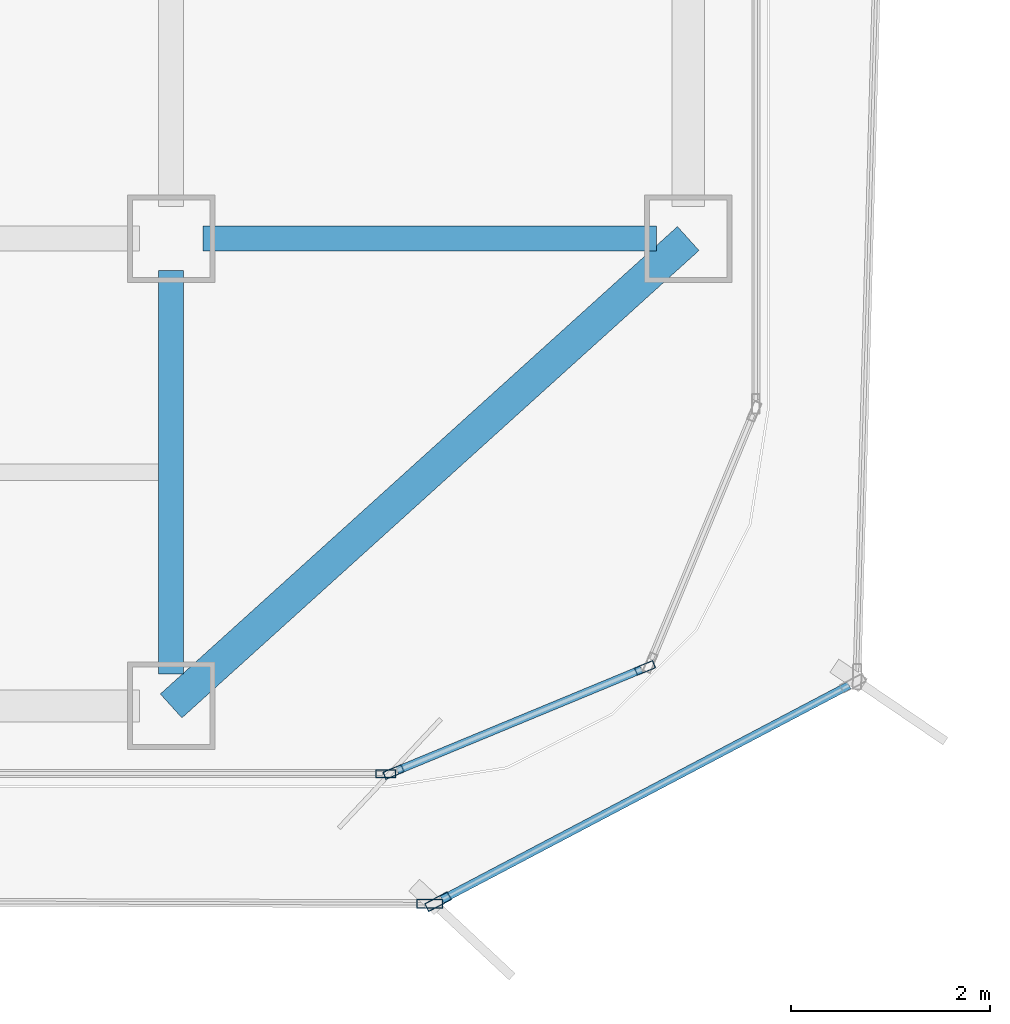
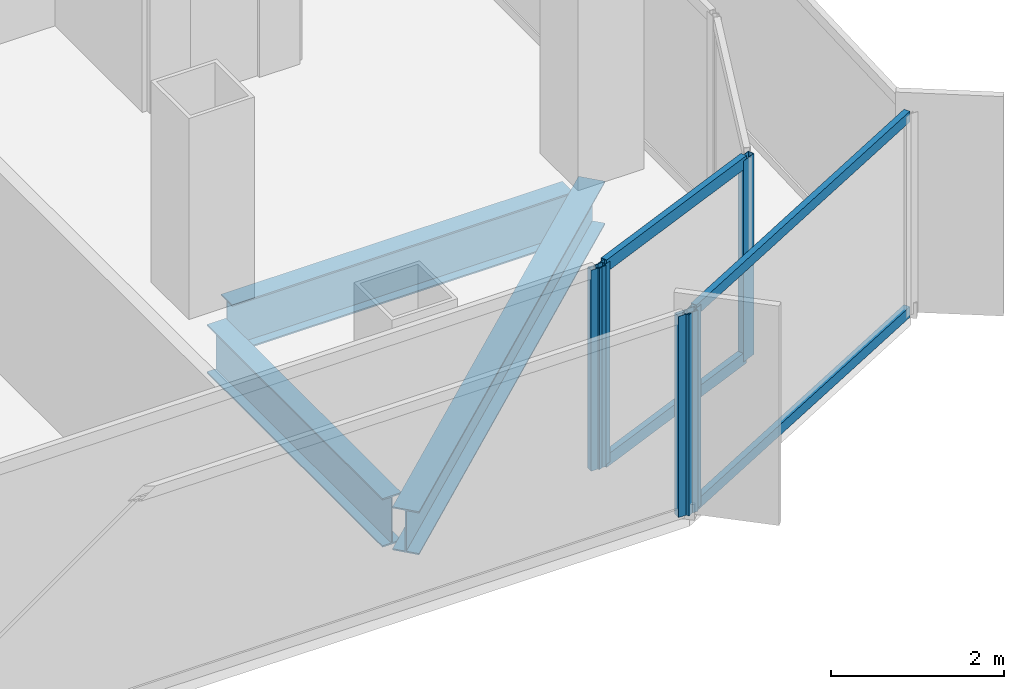
# One storey, part 6 of 21: 9 members, 3 beams, 4 elements without a shape of their own.
"""IFC4 building model written with IfcOpenShell, lengths in metres."""

from ifc_helpers import new_model, si_unit, direction, frame, origin, origin_2d, place, context, subcontext, project, spatial, hollow_rectangle, i_section, extrude, source, transform, mapped, material, layer, layer_set, material_profile, profile_set, type_object, element, aggregate, save


model = new_model("IFC4")

# Units and contexts
model_context = context("Model", 3, precision=1e-05, world=origin(), true_north=direction((0.0, 1.0)))
body_context = subcontext(model_context, "Body", "Model", "MODEL_VIEW")
ifc_project = project(units=[si_unit("LENGTHUNIT", "METRE"), si_unit("AREAUNIT", "SQUARE_METRE"), si_unit("VOLUMEUNIT", "CUBIC_METRE"), si_unit("PLANEANGLEUNIT", "RADIAN"), si_unit("MASSUNIT", "GRAM", prefix="KILO")], contexts=[model_context])

# Site, building, storey
site_placement = place(None, origin())
site = spatial("IfcSite", under=ifc_project, at=site_placement, CompositionType="ELEMENT")
building_placement = place(site_placement, origin())
building = spatial("IfcBuilding", under=site, at=building_placement, Name="Kolveth Station Tower", CompositionType="ELEMENT")
storey_placement = place(building_placement, frame((0.0, 0.0, 140.699951171875)))
storey = spatial("IfcBuildingStorey", under=building, at=storey_placement, Name="L39", CompositionType="ELEMENT", Elevation=140.699951171875)

# Beams
ifc_material_1 = material(Name="Steel S355", Category="steel")
ifc_material_profile_1 = material_profile(ifc_material_1, i_section(OverallWidth=0.323974609375, OverallDepth=0.611083984375, WebThickness=0.0126953125, FlangeThickness=0.01904296875, at=origin_2d()), Name="W610x155")
ifc_profile_set_1 = profile_set([ifc_material_profile_1], Name="Steel S355")
beam_type_1 = type_object("IfcBeamType", Name="Beam_SP2", PredefinedType="SPANDREL", material=ifc_profile_set_1)
shared_shape_1 = source(origin(), body_context, "Body", "SweptSolid", [
    extrude(i_section(OverallWidth=0.323974609375, OverallDepth=0.611083984375, WebThickness=0.0126953125, FlangeThickness=0.01904296875, at=origin_2d()), origin(), (0.0, 0.0, 1.0), 7.00927734375),
])
beam_1_placement = place(storey_placement, frame((41.0, 0.800048828125, -0.555419921875), z_axis=(0.741874009795, 0.670539300557, 0.0), x_axis=(-0.670539300557, 0.741874009795, 0.0)))
element("IfcBeam", 1, at=beam_1_placement, inside=storey, type_object=beam_type_1, Name="L39 Corner Edge Girder BM-L39-CNR-SE", PredefinedType="SPANDREL", context=body_context, shape_type="MappedRepresentation", body=[
    mapped(shared_shape_1, transform((0.0, 0.0, 0.0), x_axis=(1.0, 0.0, 0.0), y_axis=(0.0, 1.0, 0.0), z_axis=(0.0, 0.0, 1.0), scale=1.0)),
])
ifc_material_profile_2 = material_profile(ifc_material_1, i_section(OverallWidth=0.25390625, OverallDepth=0.68798828125, WebThickness=0.01318359375, FlangeThickness=0.02099609375, at=origin_2d()), Name="W690x152")
ifc_profile_set_2 = profile_set([ifc_material_profile_2], Name="Steel S355")
beam_type_2 = type_object("IfcBeamType", Name="Beam_B4", PredefinedType="BEAM", material=ifc_profile_set_2)
shared_shape_2 = source(origin(), body_context, "Body", "SweptSolid", [
    extrude(i_section(OverallWidth=0.25390625, OverallDepth=0.68798828125, WebThickness=0.01318359375, FlangeThickness=0.02099609375, at=origin_2d()), origin(), (0.0, 0.0, 1.0), 4.559814453125),
])
beam_2_placement = place(storey_placement, frame((41.320068359375, 5.5, -0.593994140625), z_axis=(1.0, 0.0, 0.0), x_axis=(0.0, 1.0, 0.0)))
element("IfcBeam", 2, at=beam_2_placement, inside=storey, type_object=beam_type_2, Name="L39 Primary Girder BM-L39-GY55-7", PredefinedType="BEAM", context=body_context, shape_type="MappedRepresentation", body=[
    mapped(shared_shape_2, transform((0.0, 0.0, 0.0), x_axis=(1.0, 0.0, 0.0), y_axis=(0.0, 1.0, 0.0), z_axis=(0.0, 0.0, 1.0), scale=1.0)),
])
shared_shape_3 = source(origin(), body_context, "Body", "SweptSolid", [
    extrude(i_section(OverallWidth=0.25390625, OverallDepth=0.68798828125, WebThickness=0.01318359375, FlangeThickness=0.02099609375, at=origin_2d()), origin(), (0.0, 0.0, 1.0), 4.059814453125),
])
beam_3_placement = place(storey_placement, frame((41.0, 1.1201171875, -0.593994140625), z_axis=(0.0, 1.0, 0.0), x_axis=(-1.0, 0.0, 0.0)))
element("IfcBeam", 3, at=beam_3_placement, inside=storey, type_object=beam_type_2, Name="L39 Primary Girder BM-L39-GX410-1", PredefinedType="BEAM", context=body_context, shape_type="MappedRepresentation", body=[
    mapped(shared_shape_3, transform((0.0, 0.0, 0.0), x_axis=(1.0, 0.0, 0.0), y_axis=(0.0, 1.0, 0.0), z_axis=(0.0, 0.0, 1.0), scale=1.0)),
])

# Curtain wall, members
ifc_material_2 = material(Name="Aluminium 6063-T6 and low-E dark glass", Category="aluminium")
ifc_layer_1 = layer(ifc_material_2, 0.18994140625)
ifc_layer_set_1 = layer_set([ifc_layer_1], Name="Aluminium 6063-T6 and low-E dark glass")
curtain_wall_type_1 = type_object("IfcCurtainWallType", Name="CurtainWall_CW-Z2", PredefinedType="NOTDEFINED", material=ifc_layer_set_1)
curtain_wall_1_placement = place(storey_placement, origin())
curtain_wall_1 = element("IfcCurtainWall", 4, at=curtain_wall_1_placement, inside=storey, type_object=curtain_wall_type_1, Name="L39 Inner Thermal Curtain Wall 1", PredefinedType="NOTDEFINED")
ifc_material_3 = material(Name="Black anodized aluminium 6063-T6", Category="aluminium")
ifc_material_profile_3 = material_profile(ifc_material_3, hollow_rectangle(XDim=0.080078125, YDim=0.169921875, WallThickness=0.0048828125, at=origin_2d()), Name="ALU-80x170x5")
ifc_profile_set_3 = profile_set([ifc_material_profile_3], Name="Black anodized aluminium 6063-T6")
member_type_1 = type_object("IfcMemberType", Name="Transom_TR2", PredefinedType="USERDEFINED", material=ifc_profile_set_3)
shared_shape_4 = source(origin(), body_context, "Body", "SweptSolid", [
    extrude(hollow_rectangle(XDim=0.080078125, YDim=0.169921875, WallThickness=0.0048828125, at=origin_2d()), origin(), (0.0, 0.0, 1.0), 2.656494140625),
])
member_1_placement = place(storey_placement, frame((43.27392578125, 0.150634765625, 0.0400390625), z_axis=(0.923882422403, 0.382676455475, 0.0), x_axis=(-0.382676455475, 0.923882422403, 0.0)))
member_1 = element("IfcMember", 5, at=member_1_placement, type_object=member_type_1, Name="CW-Z2 transom 1.1", ObjectType="TRANSOM", PredefinedType="USERDEFINED", context=body_context, shape_type="MappedRepresentation", body=[
    mapped(shared_shape_4, transform((0.0, 0.0, 0.0), x_axis=(1.0, 0.0, 0.0), y_axis=(0.0, 1.0, 0.0), z_axis=(0.0, 0.0, 1.0), scale=1.0)),
])
member_2_placement = place(storey_placement, frame((43.27392578125, 0.150634765625, 2.800048828125), z_axis=(0.923882422403, 0.382676455475, 0.0), x_axis=(-0.382676455475, 0.923882422403, 0.0)))
member_2 = element("IfcMember", 6, at=member_2_placement, type_object=member_type_1, Name="CW-Z2 transom 1.2", ObjectType="TRANSOM", PredefinedType="USERDEFINED", context=body_context, shape_type="MappedRepresentation", body=[
    mapped(shared_shape_4, transform((0.0, 0.0, 0.0), x_axis=(1.0, 0.0, 0.0), y_axis=(0.0, 1.0, 0.0), z_axis=(0.0, 0.0, 1.0), scale=1.0)),
])
ifc_material_profile_4 = material_profile(ifc_material_3, hollow_rectangle(XDim=0.080078125, YDim=0.199951171875, WallThickness=0.0048828125, at=origin_2d()), Name="ALU-80x200x5")
ifc_profile_set_4 = profile_set([ifc_material_profile_4], Name="Black anodized aluminium 6063-T6")
member_type_2 = type_object("IfcMemberType", Name="Mullion_ML2", PredefinedType="MULLION", material=ifc_profile_set_4)
shared_shape_5 = source(origin(), body_context, "Body", "SweptSolid", [
    extrude(hollow_rectangle(XDim=0.080078125, YDim=0.199951171875, WallThickness=0.0048828125, at=origin_2d()), origin(), (0.0, 0.0, 1.0), 2.840087890625),
])
member_3_placement = place(storey_placement, frame((43.237060546875, 0.13525390625, 0.0), z_axis=(0.0, 0.0, 1.0), x_axis=(-0.38266326998, 0.923887883787, 0.0)))
member_3 = element("IfcMember", 7, at=member_3_placement, type_object=member_type_2, Name="CW-Z2 mullion 1", PredefinedType="MULLION", context=body_context, shape_type="MappedRepresentation", body=[
    mapped(shared_shape_5, transform((0.0, 0.0, 0.0), x_axis=(1.0, 0.0, 0.0), y_axis=(0.0, 1.0, 0.0), z_axis=(0.0, 0.0, 1.0), scale=1.0)),
])
member_4_placement = place(storey_placement, frame((45.76513671875, 1.182373046875, 0.0), z_axis=(0.0, 0.0, 1.0), x_axis=(-0.38266326998, 0.923887883787, 0.0)))
member_4 = element("IfcMember", 8, at=member_4_placement, type_object=member_type_2, Name="CW-Z2 mullion 2", PredefinedType="MULLION", context=body_context, shape_type="MappedRepresentation", body=[
    mapped(shared_shape_5, transform((0.0, 0.0, 0.0), x_axis=(1.0, 0.0, 0.0), y_axis=(0.0, 1.0, 0.0), z_axis=(0.0, 0.0, 1.0), scale=1.0)),
])
aggregate(curtain_wall_1, [member_3, member_4, member_1, member_2])

# Curtain wall, member
curtain_wall_2_placement = place(storey_placement, origin())
curtain_wall_2 = element("IfcCurtainWall", 9, at=curtain_wall_2_placement, inside=storey, type_object=curtain_wall_type_1, Name="L39 Inner Thermal Curtain Wall 12", PredefinedType="NOTDEFINED")
member_5_placement = place(storey_placement, frame((43.159912109375, 0.1201171875, 0.0), z_axis=(0.0, 0.0, 1.0), x_axis=(0.0, 1.0, 0.0)))
member_5 = element("IfcMember", 10, at=member_5_placement, type_object=member_type_2, Name="CW-Z2 mullion 3", PredefinedType="MULLION", context=body_context, shape_type="MappedRepresentation", body=[
    mapped(shared_shape_5, transform((0.0, 0.0, 0.0), x_axis=(1.0, 0.0, 0.0), y_axis=(0.0, 1.0, 0.0), z_axis=(0.0, 0.0, 1.0), scale=1.0)),
])
aggregate(curtain_wall_2, [member_5])

ifc_material_4 = material(Name="Black anodized aluminium 6063-T6 and dark solar glass", Category="aluminium")
ifc_layer_2 = layer(ifc_material_4, 0.159912109375)
ifc_layer_set_2 = layer_set([ifc_layer_2], Name="Black anodized aluminium 6063-T6 and dark solar glass")
curtain_wall_type_2 = type_object("IfcCurtainWallType", Name="OUTER SKIN CW-OS", PredefinedType="NOTDEFINED", material=ifc_layer_set_2)
curtain_wall_3_placement = place(storey_placement, origin())
curtain_wall_3 = element("IfcCurtainWall", 11, at=curtain_wall_3_placement, inside=storey, type_object=curtain_wall_type_2, Name="L39 Outer Ventilated Skin Curtain Wall 1", PredefinedType="NOTDEFINED")
ifc_material_profile_5 = material_profile(ifc_material_3, hollow_rectangle(XDim=0.090087890625, YDim=0.260009765625, WallThickness=0.0048828125, at=origin_2d()), Name="ALU-90x260x5")
ifc_profile_set_5 = profile_set([ifc_material_profile_5], Name="Black anodized aluminium 6063-T6")
member_type_3 = type_object("IfcMemberType", Name="FIN MULLION ML-OS", PredefinedType="MULLION", material=ifc_profile_set_5)
shared_shape_6 = source(origin(), body_context, "Body", "SweptSolid", [
    extrude(hollow_rectangle(XDim=0.090087890625, YDim=0.260009765625, WallThickness=0.0048828125, at=origin_2d()), origin(), (0.0, 0.0, 1.0), 2.840087890625),
])
member_6_placement = place(storey_placement, frame((43.6845703125, -1.16796875, 0.0), z_axis=(0.0, 0.0, 1.0), x_axis=(-0.465868212022, 0.88485411737, 0.0)))
member_6 = element("IfcMember", 12, at=member_6_placement, type_object=member_type_3, Name="CW-OS mullion 1", PredefinedType="MULLION", context=body_context, shape_type="MappedRepresentation", body=[
    mapped(shared_shape_6, transform((0.0, 0.0, 0.0), x_axis=(1.0, 0.0, 0.0), y_axis=(0.0, 1.0, 0.0), z_axis=(0.0, 0.0, 1.0), scale=1.0)),
])

curtain_wall_4_placement = place(storey_placement, origin())
curtain_wall_4 = element("IfcCurtainWall", 13, at=curtain_wall_4_placement, inside=storey, type_object=curtain_wall_type_2, Name="L39 Outer Ventilated Skin Curtain Wall 8", PredefinedType="NOTDEFINED")
member_7_placement = place(storey_placement, frame((43.599853515625, -1.18896484375, 0.0), z_axis=(0.0, 0.0, 1.0), x_axis=(0.002885431667, 0.999995837133, 0.0)))
member_7 = element("IfcMember", 14, at=member_7_placement, type_object=member_type_3, Name="CW-OS mullion 2", PredefinedType="MULLION", context=body_context, shape_type="MappedRepresentation", body=[
    mapped(shared_shape_6, transform((0.0, 0.0, 0.0), x_axis=(1.0, 0.0, 0.0), y_axis=(0.0, 1.0, 0.0), z_axis=(0.0, 0.0, 1.0), scale=1.0)),
])
aggregate(curtain_wall_4, [member_7])

# Member
ifc_material_profile_6 = material_profile(ifc_material_3, hollow_rectangle(XDim=0.080078125, YDim=0.14990234375, WallThickness=0.0048828125, at=origin_2d()), Name="ALU-80x150x5")
ifc_profile_set_6 = profile_set([ifc_material_profile_6], Name="Black anodized aluminium 6063-T6")
member_type_4 = type_object("IfcMemberType", Name="Transom_TR-OS", PredefinedType="USERDEFINED", material=ifc_profile_set_6)
shared_shape_7 = source(origin(), body_context, "Body", "SweptSolid", [
    extrude(hollow_rectangle(XDim=0.080078125, YDim=0.14990234375, WallThickness=0.0048828125, at=origin_2d()), origin(), (0.0, 0.0, 1.0), 4.62548828125),
])
member_8_placement = place(storey_placement, frame((43.724365234375, -1.14697265625, 0.0400390625), z_axis=(0.884867840866, 0.465842145153, 0.0), x_axis=(-0.465842145153, 0.884867840866, 0.0)))
member_8 = element("IfcMember", 15, at=member_8_placement, type_object=member_type_4, Name="CW-OS transom 1.1", ObjectType="TRANSOM", PredefinedType="USERDEFINED", context=body_context, shape_type="MappedRepresentation", body=[
    mapped(shared_shape_7, transform((0.0, 0.0, 0.0), x_axis=(1.0, 0.0, 0.0), y_axis=(0.0, 1.0, 0.0), z_axis=(0.0, 0.0, 1.0), scale=1.0)),
])

member_9_placement = place(storey_placement, frame((43.724365234375, -1.14697265625, 2.800048828125), z_axis=(0.884867840866, 0.465842145153, 0.0), x_axis=(-0.465842145153, 0.884867840866, 0.0)))
member_9 = element("IfcMember", 16, at=member_9_placement, type_object=member_type_4, Name="CW-OS transom 1.2", ObjectType="TRANSOM", PredefinedType="USERDEFINED", context=body_context, shape_type="MappedRepresentation", body=[
    mapped(shared_shape_7, transform((0.0, 0.0, 0.0), x_axis=(1.0, 0.0, 0.0), y_axis=(0.0, 1.0, 0.0), z_axis=(0.0, 0.0, 1.0), scale=1.0)),
])

aggregate(curtain_wall_3, [member_6, member_8, member_9])

save(model, "model.ifc")
